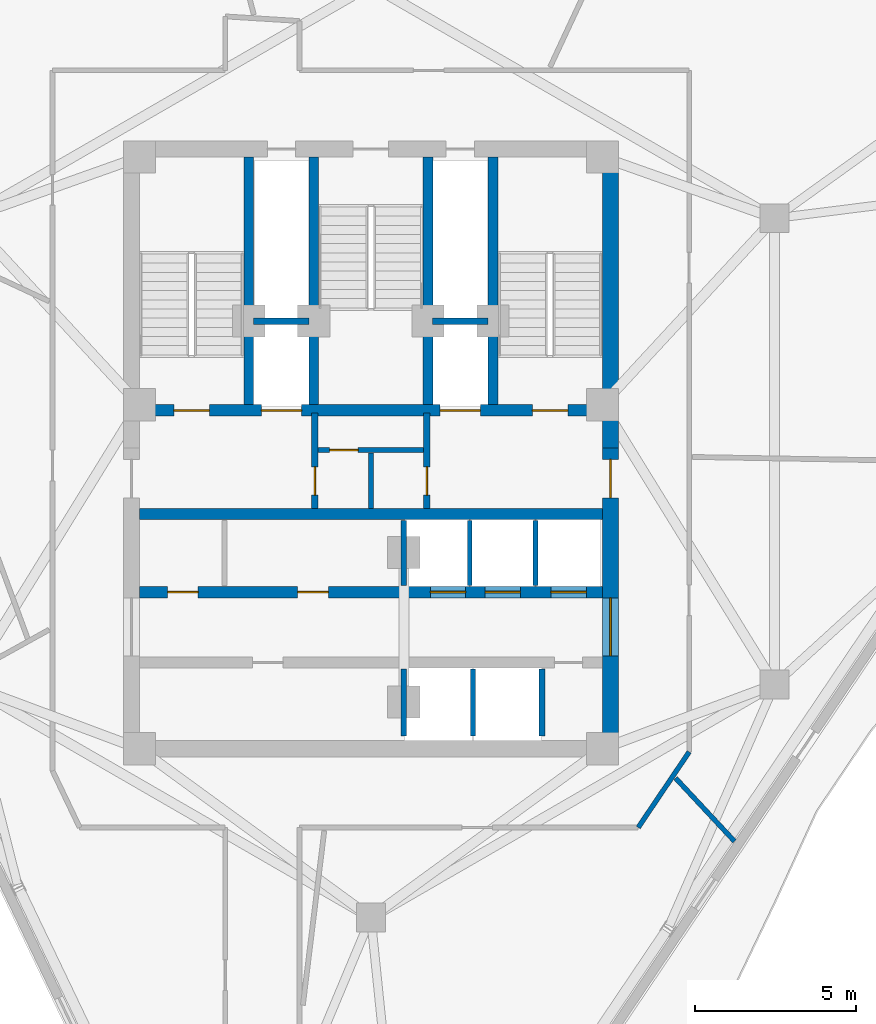
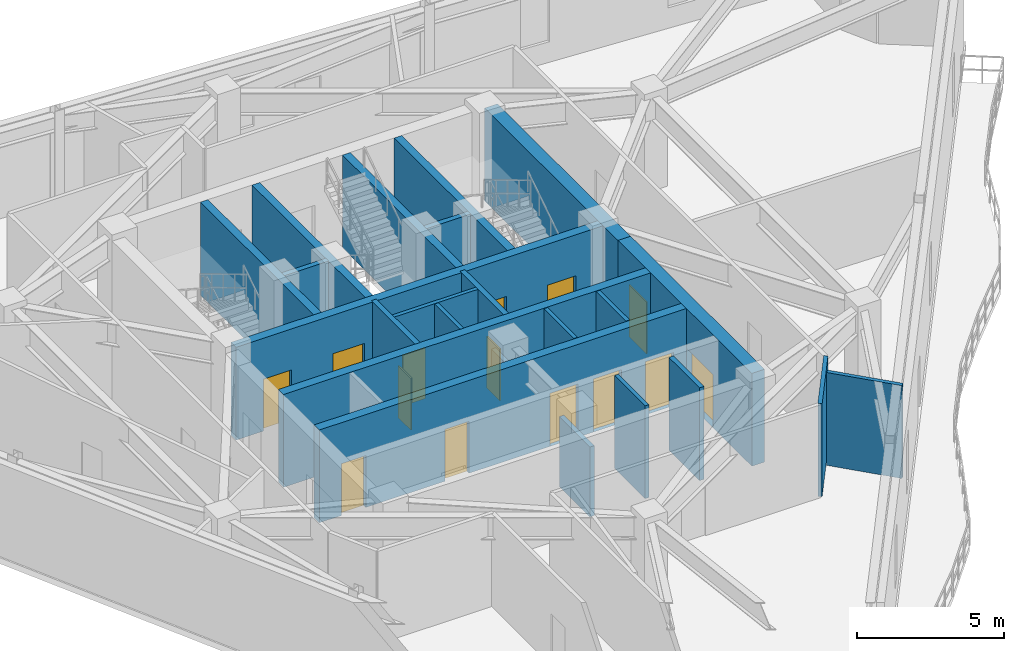
# One storey, part 6 of 10: 23 walls, 14 doors, 14 openings.
"""IFC4 building model written with IfcOpenShell, lengths in metres."""

from ifc_helpers import new_model, si_unit, direction, frame, frame_2d, origin, place, context, subcontext, project, spatial, rectangle, extrude, material, layer, layer_set, type_object, element, fill, save


model = new_model("IFC4")

# Units and contexts
model_context = context("Model", 3, precision=1e-05, world=origin(), true_north=direction((0.0, 1.0)))
body_context = subcontext(model_context, "Body", "Model", "MODEL_VIEW")
ifc_project = project(units=[si_unit("LENGTHUNIT", "METRE"), si_unit("AREAUNIT", "SQUARE_METRE"), si_unit("VOLUMEUNIT", "CUBIC_METRE"), si_unit("PLANEANGLEUNIT", "RADIAN"), si_unit("MASSUNIT", "GRAM", prefix="KILO")], contexts=[model_context])

# Site, building, storey
site_placement = place(None, origin())
site = spatial("IfcSite", under=ifc_project, at=site_placement, CompositionType="ELEMENT")
building_placement = place(site_placement, origin())
building = spatial("IfcBuilding", under=site, at=building_placement, Name="Apsidion Concourse Tower", CompositionType="ELEMENT")
storey_placement = place(building_placement, frame((0.0, 0.0, 310.60009765625)))
storey = spatial("IfcBuildingStorey", under=building, at=storey_placement, Name="L73", CompositionType="ELEMENT", Elevation=310.60009765625)

# Walls
ifc_material_1 = material(Name="Gypsum plasterboard partition")
ifc_layer_1 = layer(ifc_material_1, 0.14990234375)
ifc_layer_set_1 = layer_set([ifc_layer_1], Name="Gypsum plasterboard partition")
wall_type_1 = type_object("IfcWallType", Name="WL-INT-PAR-150", PredefinedType="PARTITIONING", material=ifc_layer_set_1)
for number, where, z_axis, x_axis, name in (
    (1, (3.074951171875, -4.179931640625, 0.0), (0.0, 0.0, 1.0), (0.0, 1.0, 0.0), "L73 Interior Partition WL-L73-B3DIV-1"),
    (2, (5.125, -4.179931640625, 0.0), (0.0, 0.0, 1.0), (0.0, 1.0, 0.0), "L73 Interior Partition WL-L73-B3DIV-2"),
):
    element("IfcWall", number, at=place(storey_placement, frame(where, z_axis=z_axis, x_axis=x_axis)), inside=storey, type_object=wall_type_1, Name=name, PredefinedType="PARTITIONING", context=body_context, shape_type="SweptSolid", body=[
        extrude(rectangle(XDim=2.030029296875, YDim=0.14990234375, at=frame_2d((1.01513671875, 0.0))), origin(), (0.0, 0.0, 1.0), 3.849853515625),
    ])
wall_1_placement = place(storey_placement, frame((3.175048828125, -8.85009765625, 0.0), z_axis=(0.0, 0.0, 1.0), x_axis=(0.0, 1.0, 0.0)))
element("IfcWall", 3, at=wall_1_placement, inside=storey, type_object=wall_type_1, Name="L73 Interior Partition WL-L73-SHDIV-1", PredefinedType="PARTITIONING", context=body_context, shape_type="SweptSolid", body=[
    extrude(rectangle(XDim=2.080078125, YDim=0.14990234375, at=frame_2d((1.0400390625, 0.0))), origin(), (0.0, 0.0, 1.0), 3.849853515625),
])

# Wall, opening, door
wall_2_placement = place(storey_placement, frame((-1.639892578125, 0.0400390625, 0.0), z_axis=(0.0, 0.0, 1.0), x_axis=(1.0, 0.0, 0.0)))
wall_2 = element("IfcWall", 4, at=wall_2_placement, inside=storey, type_object=wall_type_1, Name="L73 Interior Partition WL-L73-K4H", PredefinedType="PARTITIONING", context=body_context, shape_type="SweptSolid", body=[
    extrude(rectangle(XDim=3.27978515625, YDim=0.14990234375, at=frame_2d((1.639892578125, 0.0))), origin(), (0.0, 0.0, 1.0), 3.849853515625),
])
opening_1_placement = place(wall_2_placement, frame((0.360107421875, 0.0, 0.0)))
opening_1 = element("IfcOpeningElement", 5, at=opening_1_placement, cuts=wall_2, Name="Opening D-03L", PredefinedType="OPENING", context=body_context, shape_type="SweptSolid", body=[
    extrude(rectangle(XDim=0.8798828125, YDim=2.10009765625, at=frame_2d((0.43994140625, 1.050048828125))), frame((0.0, 0.0849609375, 0.0), z_axis=(0.0, -1.0, 0.0), x_axis=(1.0, 0.0, 0.0)), (0.0, 0.0, 1.0), 0.169921875),
])
ifc_material_2 = material(Name="Anodised aluminium EN AW-6063 T6", Category="aluminium")
door_type_1 = type_object("IfcDoorType", Name="DR-INT-D03L", OperationType="SINGLE_SWING_LEFT", PredefinedType="DOOR", material=ifc_material_2)
door_1_placement = place(opening_1_placement, origin())
door_1 = element("IfcDoor", 6, at=door_1_placement, inside=storey, type_object=door_type_1, Name="L73 Core Telecoms Door", OperationType="SINGLE_SWING_LEFT", OverallHeight=2.10009765625, OverallWidth=0.8798828125, PredefinedType="DOOR", context=body_context, shape_type="SweptSolid", body=[
    extrude(rectangle(XDim=0.8798828125, YDim=2.10009765625, at=frame_2d((0.43994140625, 1.050048828125))), frame((0.0, 0.02490234375, 0.0), z_axis=(0.0, -1.0, 0.0), x_axis=(1.0, 0.0, 0.0)), (0.0, 0.0, 1.0), 0.050048828125),
])
fill(opening_1, door_1)

# Walls
wall_3_placement = place(storey_placement, frame((0.0, -1.780029296875, 0.0), z_axis=(0.0, 0.0, 1.0), x_axis=(0.0, 1.0, 0.0)))
element("IfcWall", 7, at=wall_3_placement, inside=storey, type_object=wall_type_1, Name="L73 Interior Partition WL-L73-K4V", PredefinedType="PARTITIONING", context=body_context, shape_type="SweptSolid", body=[
    extrude(rectangle(XDim=1.72998046875, YDim=0.14990234375, at=frame_2d((0.864990234375, 0.0))), origin(), (0.0, 0.0, 1.0), 3.849853515625),
])
wall_4_placement = place(storey_placement, frame((9.89990234375, -9.348388671875, 0.0), z_axis=(0.0, 0.0, 1.0), x_axis=(-0.559200828408, -0.829032227062, 0.0)))
element("IfcWall", 8, at=wall_4_placement, inside=storey, type_object=wall_type_1, Name="L73 Interior Partition WL-L73-CORR-10", PredefinedType="PARTITIONING", context=body_context, shape_type="SweptSolid", body=[
    extrude(rectangle(XDim=2.83642578125, YDim=0.14990234375, at=frame_2d((1.418212890625, 0.0))), origin(), (0.0, 0.0, 1.0), 3.849853515625),
])
wall_5_placement = place(storey_placement, frame((9.477294921875, -10.1630859375, 0.0), z_axis=(0.0, 0.0, 1.0), x_axis=(0.682023235441, -0.731330504163, 0.0)))
element("IfcWall", 9, at=wall_5_placement, inside=storey, type_object=wall_type_1, Name="L73 Interior Partition WL-L73-RAD-06-1", PredefinedType="PARTITIONING", context=body_context, shape_type="SweptSolid", body=[
    extrude(rectangle(XDim=2.68359375, YDim=0.14990234375, at=frame_2d((1.341796875, 0.0))), origin(), (0.0, 0.0, 1.0), 3.849853515625),
])
ifc_layer_2 = layer(ifc_material_1, 0.179931640625)
ifc_layer_set_2 = layer_set([ifc_layer_2], Name="Gypsum plasterboard partition")
wall_type_2 = type_object("IfcWallType", Name="WL-INT-PAR-180", PredefinedType="PARTITIONING", material=ifc_layer_set_2)
wall_6_placement = place(storey_placement, frame((1.02490234375, -4.179931640625, 0.0), z_axis=(0.0, 0.0, 1.0), x_axis=(0.0, 1.0, 0.0)))
element("IfcWall", 10, at=wall_6_placement, inside=storey, type_object=wall_type_2, Name="L73 Interior Partition WL-L73-B1END", PredefinedType="PARTITIONING", context=body_context, shape_type="SweptSolid", body=[
    extrude(rectangle(XDim=2.030029296875, YDim=0.179931640625, at=frame_2d((1.01513671875, 0.0))), origin(), (0.0, 0.0, 1.0), 2.89794921875),
])
wall_7_placement = place(storey_placement, frame((1.02490234375, -8.85009765625, 0.0), z_axis=(0.0, 0.0, 1.0), x_axis=(0.0, 1.0, 0.0)))
element("IfcWall", 11, at=wall_7_placement, inside=storey, type_object=wall_type_2, Name="L73 Interior Partition WL-L73-B2END", PredefinedType="PARTITIONING", context=body_context, shape_type="SweptSolid", body=[
    extrude(rectangle(XDim=2.080078125, YDim=0.179931640625, at=frame_2d((1.0400390625, 0.0))), origin(), (0.0, 0.0, 1.0), 2.89794921875),
])
wall_8_placement = place(storey_placement, frame((5.324951171875, -8.85009765625, 0.0), z_axis=(0.0, 0.0, 1.0), x_axis=(0.0, 1.0, 0.0)))
element("IfcWall", 12, at=wall_8_placement, inside=storey, type_object=wall_type_2, Name="L73 Interior Partition WL-L73-SHDIV-2", PredefinedType="PARTITIONING", context=body_context, shape_type="SweptSolid", body=[
    extrude(rectangle(XDim=2.080078125, YDim=0.179931640625, at=frame_2d((1.0400390625, 0.0))), origin(), (0.0, 0.0, 1.0), 3.849853515625),
])
ifc_layer_3 = layer(ifc_material_1, 0.199951171875)
ifc_layer_set_3 = layer_set([ifc_layer_3], Name="Gypsum plasterboard partition")
wall_type_3 = type_object("IfcWallType", Name="WL-INT-PAR-200", PredefinedType="PARTITIONING", material=ifc_layer_set_3)
for number, where, z_axis, x_axis, name in (
    (13, (-3.64990234375, 4.050048828125, 0.0), (0.0, 0.0, 1.0), (1.0, 0.0, 0.0), "L73 Interior Partition WL-L73-FF1-N"),
    (14, (1.919921875, 4.050048828125, 0.0), (0.0, 0.0, 1.0), (1.0, 0.0, 0.0), "L73 Interior Partition WL-L73-FF2-N"),
):
    element("IfcWall", number, at=place(storey_placement, frame(where, z_axis=z_axis, x_axis=x_axis)), inside=storey, type_object=wall_type_3, Name=name, PredefinedType="PARTITIONING", context=body_context, shape_type="SweptSolid", body=[
        extrude(rectangle(XDim=1.72998046875, YDim=0.199951171875, at=frame_2d((0.864990234375, 0.0))), origin(), (0.0, 0.0, 1.0), 3.849853515625),
    ])

# Wall, opening, door
wall_9_placement = place(storey_placement, frame((-1.739990234375, -1.780029296875, 0.0), z_axis=(0.0, 0.0, 1.0), x_axis=(0.0, 1.0, 0.0)))
wall_9 = element("IfcWall", 15, at=wall_9_placement, inside=storey, type_object=wall_type_3, Name="L73 Interior Partition WL-L73-FF1-E", PredefinedType="PARTITIONING", context=body_context, shape_type="SweptSolid", body=[
    extrude(rectangle(XDim=2.97998046875, YDim=0.199951171875, at=frame_2d((1.489990234375, 0.0))), origin(), (0.0, 0.0, 1.0), 3.849853515625),
])
opening_2_placement = place(wall_9_placement, frame((0.419921875, 0.0, 0.0)))
opening_2 = element("IfcOpeningElement", 16, at=opening_2_placement, cuts=wall_9, Name="Opening D-05R", PredefinedType="OPENING", context=body_context, shape_type="SweptSolid", body=[
    extrude(rectangle(XDim=0.8798828125, YDim=2.14990234375, at=frame_2d((0.43994140625, 1.074951171875))), frame((0.0, 0.10986328125, 0.0), z_axis=(0.0, -1.0, 0.0), x_axis=(1.0, 0.0, 0.0)), (0.0, 0.0, 1.0), 0.219970703125),
])
ifc_material_3 = material(Name="Brushed stainless steel 316", Category="steel")
door_type_2 = type_object("IfcDoorType", Name="DR-INT-D05R", OperationType="SINGLE_SWING_RIGHT", PredefinedType="DOOR", material=ifc_material_3)
door_2_placement = place(opening_2_placement, origin())
door_2 = element("IfcDoor", 17, at=door_2_placement, inside=storey, type_object=door_type_2, Name="L73 Core Switch Room Door", OperationType="SINGLE_SWING_RIGHT", OverallHeight=2.14990234375, OverallWidth=0.8798828125, PredefinedType="DOOR", context=body_context, shape_type="SweptSolid", body=[
    extrude(rectangle(XDim=0.8798828125, YDim=2.14990234375, at=frame_2d((0.43994140625, 1.074951171875))), frame((0.0, 0.02490234375, 0.0), z_axis=(0.0, -1.0, 0.0), x_axis=(1.0, 0.0, 0.0)), (0.0, 0.0, 1.0), 0.050048828125),
])
fill(opening_2, door_2)

wall_10_placement = place(storey_placement, frame((1.739990234375, -1.780029296875, 0.0), z_axis=(0.0, 0.0, 1.0), x_axis=(0.0, 1.0, 0.0)))
wall_10 = element("IfcWall", 18, at=wall_10_placement, inside=storey, type_object=wall_type_3, Name="L73 Interior Partition WL-L73-FF2-W", PredefinedType="PARTITIONING", context=body_context, shape_type="SweptSolid", body=[
    extrude(rectangle(XDim=2.97998046875, YDim=0.199951171875, at=frame_2d((1.489990234375, 0.0))), origin(), (0.0, 0.0, 1.0), 3.849853515625),
])
opening_3_placement = place(wall_10_placement, frame((0.419921875, 0.0, 0.0)))
opening_3 = element("IfcOpeningElement", 19, at=opening_3_placement, cuts=wall_10, Name="Opening D-05L", PredefinedType="OPENING", context=body_context, shape_type="SweptSolid", body=[
    extrude(rectangle(XDim=0.8798828125, YDim=2.14990234375, at=frame_2d((0.43994140625, 1.074951171875))), frame((0.0, 0.10986328125, 0.0), z_axis=(0.0, -1.0, 0.0), x_axis=(1.0, 0.0, 0.0)), (0.0, 0.0, 1.0), 0.219970703125),
])
door_type_3 = type_object("IfcDoorType", Name="DR-INT-D05L", OperationType="SINGLE_SWING_LEFT", PredefinedType="DOOR", material=ifc_material_3)
door_3_placement = place(opening_3_placement, origin())
door_3 = element("IfcDoor", 20, at=door_3_placement, inside=storey, type_object=door_type_3, Name="L73 Core First Aid Door", OperationType="SINGLE_SWING_LEFT", OverallHeight=2.14990234375, OverallWidth=0.8798828125, PredefinedType="DOOR", context=body_context, shape_type="SweptSolid", body=[
    extrude(rectangle(XDim=0.8798828125, YDim=2.14990234375, at=frame_2d((0.43994140625, 1.074951171875))), frame((0.0, 0.02490234375, 0.0), z_axis=(0.0, -1.0, 0.0), x_axis=(1.0, 0.0, 0.0)), (0.0, 0.0, 1.0), 0.050048828125),
])
fill(opening_3, door_3)

# Walls
ifc_material_4 = material(Name="Concrete C50/60", Category="concrete")
ifc_layer_4 = layer(ifc_material_4, 0.300048828125)
ifc_layer_set_4 = layer_set([ifc_layer_4], Name="Concrete C50/60")
wall_type_4 = type_object("IfcWallType", Name="WL-SH-300", PredefinedType="SHEAR", material=ifc_layer_set_4)
for number, where, z_axis, x_axis, name in (
    (21, (-3.800048828125, 1.449951171875, 0.0), (0.0, 0.0, 1.0), (0.0, 1.0, 0.0), "L73 Central Core Shear Wall V1"),
    (22, (-1.77490234375, 1.449951171875, 0.0), (0.0, 0.0, 1.0), (0.0, 1.0, 0.0), "L73 Central Core Shear Wall V2"),
    (23, (1.77490234375, 1.449951171875, 0.0), (0.0, 0.0, 1.0), (0.0, 1.0, 0.0), "L73 Central Core Shear Wall V3"),
    (24, (3.800048828125, 1.449951171875, 0.0), (0.0, 0.0, 1.0), (0.0, 1.0, 0.0), "L73 Central Core Shear Wall V4"),
):
    element("IfcWall", number, at=place(storey_placement, frame(where, z_axis=z_axis, x_axis=x_axis)), inside=storey, type_object=wall_type_4, Name=name, PredefinedType="SHEAR", context=body_context, shape_type="SweptSolid", body=[
        extrude(rectangle(XDim=7.699951171875, YDim=0.300048828125, at=frame_2d((3.85009765625, 0.0))), origin(), (0.0, 0.0, 1.0), 3.849853515625),
    ])

# Wall, openings, doors
ifc_layer_5 = layer(ifc_material_4, 0.35009765625)
ifc_layer_set_5 = layer_set([ifc_layer_5], Name="Concrete C50/60")
wall_type_5 = type_object("IfcWallType", Name="WL-SH-350", PredefinedType="SHEAR", material=ifc_layer_set_5)
wall_11_placement = place(storey_placement, frame((-7.199951171875, 1.27490234375, 0.0), z_axis=(0.0, 0.0, 1.0), x_axis=(1.0, 0.0, 0.0)))
wall_11 = element("IfcWall", 25, at=wall_11_placement, inside=storey, type_object=wall_type_5, Name="L73 Central Core Shear Wall M1", PredefinedType="SHEAR", context=body_context, shape_type="SweptSolid", body=[
    extrude(rectangle(XDim=14.39990234375, YDim=0.35009765625, at=frame_2d((7.199951171875, 0.0))), origin(), (0.0, 0.0, 1.0), 3.849853515625),
])
opening_4_placement = place(wall_11_placement, frame((3.794921875, 0.0, 0.0)))
opening_4 = element("IfcOpeningElement", 26, at=opening_4_placement, cuts=wall_11, Name="Opening LD-FF", PredefinedType="OPENING", context=body_context, shape_type="SweptSolid", body=[
    extrude(rectangle(XDim=1.25, YDim=2.25, at=frame_2d((0.625, 1.125))), frame((0.0, 0.18505859375, 0.0), z_axis=(0.0, -1.0, 0.0), x_axis=(1.0, 0.0, 0.0)), (0.0, 0.0, 1.0), 0.3701171875),
])
opening_5_placement = place(wall_11_placement, frame((9.35498046875, 0.0, 0.0)))
opening_5 = element("IfcOpeningElement", 27, at=opening_5_placement, cuts=wall_11, Name="Opening LD-FF", PredefinedType="OPENING", context=body_context, shape_type="SweptSolid", body=[
    extrude(rectangle(XDim=1.25, YDim=2.25, at=frame_2d((0.625, 1.125))), frame((0.0, 0.18505859375, 0.0), z_axis=(0.0, -1.0, 0.0), x_axis=(1.0, 0.0, 0.0)), (0.0, 0.0, 1.0), 0.3701171875),
])
opening_6_placement = place(wall_11_placement, frame((1.074951171875, 0.0, 0.0)))
opening_6 = element("IfcOpeningElement", 28, at=opening_6_placement, cuts=wall_11, Name="Opening D-STL", PredefinedType="OPENING", context=body_context, shape_type="SweptSolid", body=[
    extrude(rectangle(XDim=1.10009765625, YDim=2.14990234375, at=frame_2d((0.550048828125, 1.074951171875))), frame((0.0, 0.18505859375, 0.0), z_axis=(0.0, -1.0, 0.0), x_axis=(1.0, 0.0, 0.0)), (0.0, 0.0, 1.0), 0.3701171875),
])
opening_7_placement = place(wall_11_placement, frame((12.22509765625, 0.0, 0.0)))
opening_7 = element("IfcOpeningElement", 29, at=opening_7_placement, cuts=wall_11, Name="Opening D-STR", PredefinedType="OPENING", context=body_context, shape_type="SweptSolid", body=[
    extrude(rectangle(XDim=1.10009765625, YDim=2.14990234375, at=frame_2d((0.550048828125, 1.074951171875))), frame((0.0, 0.18505859375, 0.0), z_axis=(0.0, -1.0, 0.0), x_axis=(1.0, 0.0, 0.0)), (0.0, 0.0, 1.0), 0.3701171875),
])
door_type_4 = type_object("IfcDoorType", Name="DR-INT-ST1L", OperationType="SINGLE_SWING_LEFT", PredefinedType="DOOR", material=ifc_material_3)
door_4_placement = place(opening_6_placement, origin())
door_4 = element("IfcDoor", 30, at=door_4_placement, inside=storey, type_object=door_type_4, Name="L73 Core Exit Stair ST1 Door", OperationType="SINGLE_SWING_LEFT", OverallHeight=2.14990234375, OverallWidth=1.10009765625, PredefinedType="DOOR", context=body_context, shape_type="SweptSolid", body=[
    extrude(rectangle(XDim=1.10009765625, YDim=2.14990234375, at=frame_2d((0.550048828125, 1.074951171875))), frame((0.0, 0.02490234375, 0.0), z_axis=(0.0, -1.0, 0.0), x_axis=(1.0, 0.0, 0.0)), (0.0, 0.0, 1.0), 0.050048828125),
])
fill(opening_6, door_4)
door_type_5 = type_object("IfcDoorType", Name="DR-INT-ST1R", OperationType="SINGLE_SWING_RIGHT", PredefinedType="DOOR", material=ifc_material_3)
door_5_placement = place(opening_7_placement, origin())
door_5 = element("IfcDoor", 31, at=door_5_placement, inside=storey, type_object=door_type_5, Name="L73 Core Exit Stair ST2 Door", OperationType="SINGLE_SWING_RIGHT", OverallHeight=2.14990234375, OverallWidth=1.10009765625, PredefinedType="DOOR", context=body_context, shape_type="SweptSolid", body=[
    extrude(rectangle(XDim=1.10009765625, YDim=2.14990234375, at=frame_2d((0.550048828125, 1.074951171875))), frame((0.0, 0.02490234375, 0.0), z_axis=(0.0, -1.0, 0.0), x_axis=(1.0, 0.0, 0.0)), (0.0, 0.0, 1.0), 0.050048828125),
])
fill(opening_7, door_5)
door_type_6 = type_object("IfcDoorType", Name="DR-LD-FSAE", OperationType="DOUBLE_DOOR_SLIDING", PredefinedType="DOOR", material=ifc_material_3)
door_6_placement = place(opening_4_placement, origin())
door_6 = element("IfcDoor", 32, at=door_6_placement, inside=storey, type_object=door_type_6, Name="L73 Lift Landing Door FF1", OperationType="DOUBLE_DOOR_SLIDING", OverallHeight=2.25, OverallWidth=1.25, PredefinedType="DOOR", context=body_context, shape_type="SweptSolid", body=[
    extrude(rectangle(XDim=1.25, YDim=2.25, at=frame_2d((0.625, 1.125))), frame((0.0, 0.02490234375, 0.0), z_axis=(0.0, -1.0, 0.0), x_axis=(1.0, 0.0, 0.0)), (0.0, 0.0, 1.0), 0.050048828125),
])
fill(opening_4, door_6)
door_7_placement = place(opening_5_placement, origin())
door_7 = element("IfcDoor", 33, at=door_7_placement, inside=storey, type_object=door_type_6, Name="L73 Lift Landing Door FF2", OperationType="DOUBLE_DOOR_SLIDING", OverallHeight=2.25, OverallWidth=1.25, PredefinedType="DOOR", context=body_context, shape_type="SweptSolid", body=[
    extrude(rectangle(XDim=1.25, YDim=2.25, at=frame_2d((0.625, 1.125))), frame((0.0, 0.02490234375, 0.0), z_axis=(0.0, -1.0, 0.0), x_axis=(1.0, 0.0, 0.0)), (0.0, 0.0, 1.0), 0.050048828125),
])
fill(opening_5, door_7)

# Wall
wall_12_placement = place(storey_placement, frame((-7.199951171875, -1.949951171875, 0.0), z_axis=(0.0, 0.0, 1.0), x_axis=(1.0, 0.0, 0.0)))
element("IfcWall", 34, at=wall_12_placement, inside=storey, type_object=wall_type_5, Name="L73 Central Core Shear Wall M2", PredefinedType="SHEAR", context=body_context, shape_type="SweptSolid", body=[
    extrude(rectangle(XDim=14.39990234375, YDim=0.35009765625, at=frame_2d((7.199951171875, 0.0))), origin(), (0.0, 0.0, 1.0), 3.849853515625),
])

# Wall, openings, doors
wall_13_placement = place(storey_placement, frame((-7.199951171875, -4.3798828125, 0.0), z_axis=(0.0, 0.0, 1.0), x_axis=(1.0, 0.0, 0.0)))
wall_13 = element("IfcWall", 35, at=wall_13_placement, inside=storey, type_object=wall_type_5, Name="L73 Central Core Shear Wall LA", PredefinedType="SHEAR", context=body_context, shape_type="SweptSolid", body=[
    extrude(rectangle(XDim=14.39990234375, YDim=0.35009765625, at=frame_2d((7.199951171875, 0.0))), origin(), (0.0, 0.0, 1.0), 3.849853515625),
])
opening_8_placement = place(wall_13_placement, frame((9.050048828125, 0.0, 0.0)))
opening_8 = element("IfcOpeningElement", 36, at=opening_8_placement, cuts=wall_13, Name="Opening LD-P1", PredefinedType="OPENING", context=body_context, shape_type="SweptSolid", body=[
    extrude(rectangle(XDim=1.10009765625, YDim=2.199951171875, at=frame_2d((0.550048828125, 1.10009765625))), frame((0.0, 0.18505859375, 0.0), z_axis=(0.0, -1.0, 0.0), x_axis=(1.0, 0.0, 0.0)), (0.0, 0.0, 1.0), 0.3701171875),
])
opening_9_placement = place(wall_13_placement, frame((10.75, 0.0, 0.0)))
opening_9 = element("IfcOpeningElement", 37, at=opening_9_placement, cuts=wall_13, Name="Opening LD-P1", PredefinedType="OPENING", context=body_context, shape_type="SweptSolid", body=[
    extrude(rectangle(XDim=1.10009765625, YDim=2.199951171875, at=frame_2d((0.550048828125, 1.10009765625))), frame((0.0, 0.18505859375, 0.0), z_axis=(0.0, -1.0, 0.0), x_axis=(1.0, 0.0, 0.0)), (0.0, 0.0, 1.0), 0.3701171875),
])
opening_10_placement = place(wall_13_placement, frame((12.800048828125, 0.0, 0.0)))
opening_10 = element("IfcOpeningElement", 38, at=opening_10_placement, cuts=wall_13, Name="Opening LD-P1", PredefinedType="OPENING", context=body_context, shape_type="SweptSolid", body=[
    extrude(rectangle(XDim=1.10009765625, YDim=2.199951171875, at=frame_2d((0.550048828125, 1.10009765625))), frame((0.0, 0.18505859375, 0.0), z_axis=(0.0, -1.0, 0.0), x_axis=(1.0, 0.0, 0.0)), (0.0, 0.0, 1.0), 0.3701171875),
])
opening_11_placement = place(wall_13_placement, frame((0.875, 0.0, 0.0)))
opening_11 = element("IfcOpeningElement", 39, at=opening_11_placement, cuts=wall_13, Name="Opening D-04L", PredefinedType="OPENING", context=body_context, shape_type="SweptSolid", body=[
    extrude(rectangle(XDim=0.949951171875, YDim=2.14990234375, at=frame_2d((0.47509765625, 1.074951171875))), frame((0.0, 0.18505859375, 0.0), z_axis=(0.0, -1.0, 0.0), x_axis=(1.0, 0.0, 0.0)), (0.0, 0.0, 1.0), 0.3701171875),
])
opening_12_placement = place(wall_13_placement, frame((4.925048828125, 0.0, 0.0)))
opening_12 = element("IfcOpeningElement", 40, at=opening_12_placement, cuts=wall_13, Name="Opening D-04R", PredefinedType="OPENING", context=body_context, shape_type="SweptSolid", body=[
    extrude(rectangle(XDim=0.949951171875, YDim=2.14990234375, at=frame_2d((0.47509765625, 1.074951171875))), frame((0.0, 0.18505859375, 0.0), z_axis=(0.0, -1.0, 0.0), x_axis=(1.0, 0.0, 0.0)), (0.0, 0.0, 1.0), 0.3701171875),
])
door_type_7 = type_object("IfcDoorType", Name="DR-INT-D04L", OperationType="SINGLE_SWING_LEFT", PredefinedType="DOOR", material=ifc_material_3)
door_8_placement = place(opening_11_placement, origin())
door_8 = element("IfcDoor", 41, at=door_8_placement, inside=storey, type_object=door_type_7, Name="L73 Core Supply Store Door", OperationType="SINGLE_SWING_LEFT", OverallHeight=2.14990234375, OverallWidth=0.949951171875, PredefinedType="DOOR", context=body_context, shape_type="SweptSolid", body=[
    extrude(rectangle(XDim=0.949951171875, YDim=2.14990234375, at=frame_2d((0.47509765625, 1.074951171875))), frame((0.0, 0.02490234375, 0.0), z_axis=(0.0, -1.0, 0.0), x_axis=(1.0, 0.0, 0.0)), (0.0, 0.0, 1.0), 0.050048828125),
])
fill(opening_11, door_8)
door_type_8 = type_object("IfcDoorType", Name="DR-INT-D04R", OperationType="SINGLE_SWING_RIGHT", PredefinedType="DOOR", material=ifc_material_3)
door_9_placement = place(opening_12_placement, origin())
door_9 = element("IfcDoor", 42, at=door_9_placement, inside=storey, type_object=door_type_8, Name="L73 Core Data and Print Room Door", OperationType="SINGLE_SWING_RIGHT", OverallHeight=2.14990234375, OverallWidth=0.949951171875, PredefinedType="DOOR", context=body_context, shape_type="SweptSolid", body=[
    extrude(rectangle(XDim=0.949951171875, YDim=2.14990234375, at=frame_2d((0.47509765625, 1.074951171875))), frame((0.0, 0.02490234375, 0.0), z_axis=(0.0, -1.0, 0.0), x_axis=(1.0, 0.0, 0.0)), (0.0, 0.0, 1.0), 0.050048828125),
])
fill(opening_12, door_9)
door_type_9 = type_object("IfcDoorType", Name="DR-LD-PASS", OperationType="DOUBLE_DOOR_SLIDING", PredefinedType="DOOR", material=ifc_material_3)
door_10_placement = place(opening_8_placement, origin())
door_10 = element("IfcDoor", 43, at=door_10_placement, inside=storey, type_object=door_type_9, Name="L73 Lift Landing Door P9", OperationType="DOUBLE_DOOR_SLIDING", OverallHeight=2.199951171875, OverallWidth=1.10009765625, PredefinedType="DOOR", context=body_context, shape_type="SweptSolid", body=[
    extrude(rectangle(XDim=1.10009765625, YDim=2.199951171875, at=frame_2d((0.550048828125, 1.10009765625))), frame((0.0, 0.02490234375, 0.0), z_axis=(0.0, -1.0, 0.0), x_axis=(1.0, 0.0, 0.0)), (0.0, 0.0, 1.0), 0.050048828125),
])
fill(opening_8, door_10)
door_11_placement = place(opening_9_placement, origin())
door_11 = element("IfcDoor", 44, at=door_11_placement, inside=storey, type_object=door_type_9, Name="L73 Lift Landing Door P10", OperationType="DOUBLE_DOOR_SLIDING", OverallHeight=2.199951171875, OverallWidth=1.10009765625, PredefinedType="DOOR", context=body_context, shape_type="SweptSolid", body=[
    extrude(rectangle(XDim=1.10009765625, YDim=2.199951171875, at=frame_2d((0.550048828125, 1.10009765625))), frame((0.0, 0.02490234375, 0.0), z_axis=(0.0, -1.0, 0.0), x_axis=(1.0, 0.0, 0.0)), (0.0, 0.0, 1.0), 0.050048828125),
])
fill(opening_9, door_11)
door_12_placement = place(opening_10_placement, origin())
door_12 = element("IfcDoor", 45, at=door_12_placement, inside=storey, type_object=door_type_9, Name="L73 Lift Landing Door P11", OperationType="DOUBLE_DOOR_SLIDING", OverallHeight=2.199951171875, OverallWidth=1.10009765625, PredefinedType="DOOR", context=body_context, shape_type="SweptSolid", body=[
    extrude(rectangle(XDim=1.10009765625, YDim=2.199951171875, at=frame_2d((0.550048828125, 1.10009765625))), frame((0.0, 0.02490234375, 0.0), z_axis=(0.0, -1.0, 0.0), x_axis=(1.0, 0.0, 0.0)), (0.0, 0.0, 1.0), 0.050048828125),
])
fill(opening_10, door_12)

# Wall
ifc_layer_6 = layer(ifc_material_4, 0.5)
ifc_layer_set_6 = layer_set([ifc_layer_6], Name="Concrete C50/60")
wall_type_6 = type_object("IfcWallType", Name="WL-SH-500", PredefinedType="SHEAR", material=ifc_layer_set_6)
wall_14_placement = place(storey_placement, frame((7.449951171875, 0.10009765625, 0.0), z_axis=(0.0, 0.0, 1.0), x_axis=(0.0, 1.0, 0.0)))
element("IfcWall", 46, at=wall_14_placement, inside=storey, type_object=wall_type_6, Name="L73 Central Core Shear Wall EN", PredefinedType="SHEAR", context=body_context, shape_type="SweptSolid", body=[
    extrude(rectangle(XDim=9.0498046875, YDim=0.5, at=frame_2d((4.52490234375, 0.0))), origin(), (0.0, 0.0, 1.0), 3.849853515625),
])

# Wall, openings, doors
wall_15_placement = place(storey_placement, frame((7.449951171875, -9.0, 0.0), z_axis=(0.0, 0.0, 1.0), x_axis=(0.0, 1.0, 0.0)))
wall_15 = element("IfcWall", 47, at=wall_15_placement, inside=storey, type_object=wall_type_6, Name="L73 Central Core Shear Wall ES", PredefinedType="SHEAR", context=body_context, shape_type="SweptSolid", body=[
    extrude(rectangle(XDim=9.10009765625, YDim=0.5, at=frame_2d((4.550048828125, 0.0))), origin(), (0.0, 0.0, 1.0), 3.849853515625),
])
opening_13_placement = place(wall_15_placement, frame((2.639892578125, 0.0, 0.0)))
opening_13 = element("IfcOpeningElement", 48, at=opening_13_placement, cuts=wall_15, Name="Opening D-06D", PredefinedType="OPENING", context=body_context, shape_type="SweptSolid", body=[
    extrude(rectangle(XDim=1.800048828125, YDim=2.199951171875, at=frame_2d((0.89990234375, 1.10009765625))), frame((0.0, 0.260009765625, 0.0), z_axis=(0.0, -1.0, 0.0), x_axis=(1.0, 0.0, 0.0)), (0.0, 0.0, 1.0), 0.52001953125),
])
opening_14_placement = place(wall_15_placement, frame((7.550048828125, 0.0, 0.0)))
opening_14 = element("IfcOpeningElement", 49, at=opening_14_placement, cuts=wall_15, Name="Opening D-FFR", PredefinedType="OPENING", context=body_context, shape_type="SweptSolid", body=[
    extrude(rectangle(XDim=1.199951171875, YDim=2.14990234375, at=frame_2d((0.60009765625, 1.074951171875))), frame((0.0, 0.260009765625, 0.0), z_axis=(0.0, -1.0, 0.0), x_axis=(1.0, 0.0, 0.0)), (0.0, 0.0, 1.0), 0.52001953125),
])
door_type_10 = type_object("IfcDoorType", Name="DR-INT-D06D", OperationType="DOUBLE_DOOR_SINGLE_SWING", PredefinedType="DOOR", material=ifc_material_3)
door_13_placement = place(opening_13_placement, origin())
door_13 = element("IfcDoor", 50, at=door_13_placement, inside=storey, type_object=door_type_10, Name="L73 Passenger Lift Lobby ES Portal Door", OperationType="DOUBLE_DOOR_SINGLE_SWING", OverallHeight=2.199951171875, OverallWidth=1.800048828125, PredefinedType="DOOR", context=body_context, shape_type="SweptSolid", body=[
    extrude(rectangle(XDim=1.800048828125, YDim=2.199951171875, at=frame_2d((0.89990234375, 1.10009765625))), frame((0.0, 0.02490234375, 0.0), z_axis=(0.0, -1.0, 0.0), x_axis=(1.0, 0.0, 0.0)), (0.0, 0.0, 1.0), 0.050048828125),
])
fill(opening_13, door_13)
door_type_11 = type_object("IfcDoorType", Name="DR-INT-FFR", OperationType="SINGLE_SWING_RIGHT", PredefinedType="DOOR", material=ifc_material_3)
door_14_placement = place(opening_14_placement, origin())
door_14 = element("IfcDoor", 51, at=door_14_placement, inside=storey, type_object=door_type_11, Name="L73 Firefighting Lift Lobby FF2 Door", OperationType="SINGLE_SWING_RIGHT", OverallHeight=2.14990234375, OverallWidth=1.199951171875, PredefinedType="DOOR", context=body_context, shape_type="SweptSolid", body=[
    extrude(rectangle(XDim=1.199951171875, YDim=2.14990234375, at=frame_2d((0.60009765625, 1.074951171875))), frame((0.0, 0.02490234375, 0.0), z_axis=(0.0, -1.0, 0.0), x_axis=(1.0, 0.0, 0.0)), (0.0, 0.0, 1.0), 0.050048828125),
])
fill(opening_14, door_14)

save(model, "model.ifc")
